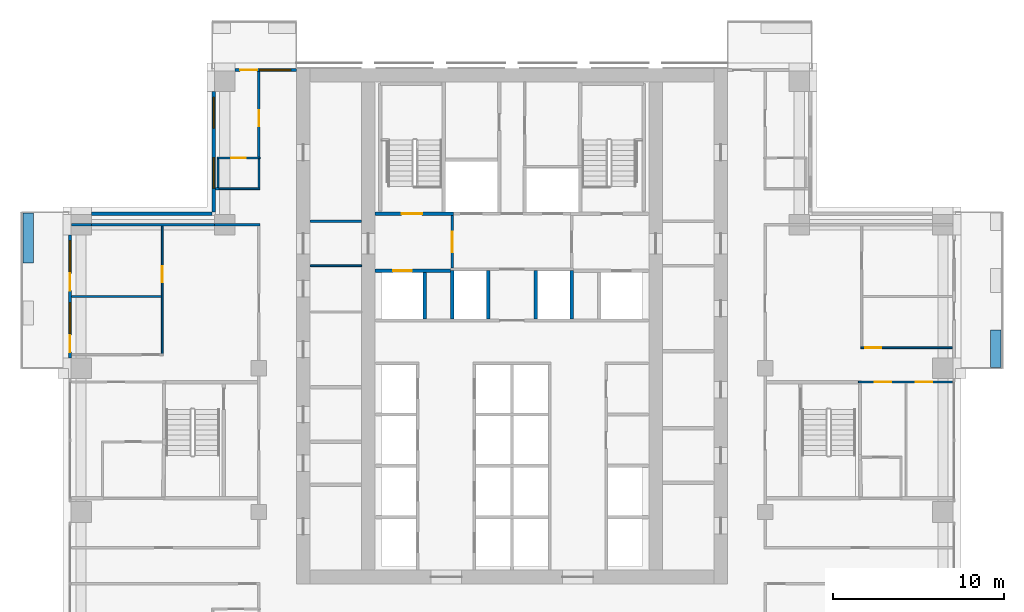
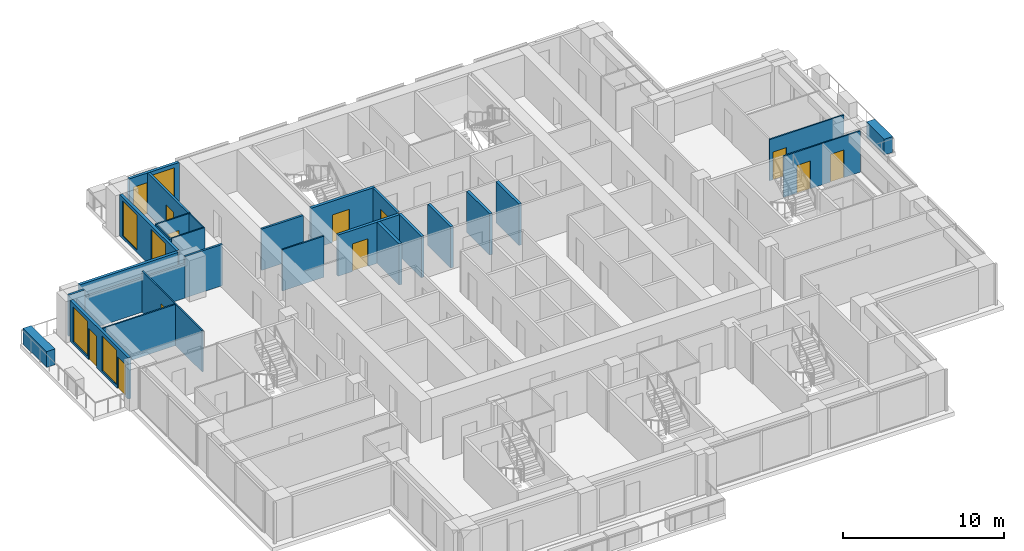
# One storey, part 10 of 16: 29 walls, 12 doors, 5 windows, 17 openings.
"""IFC4 building model written with IfcOpenShell, lengths in metres."""

import ifcopenshell
import ifcopenshell.guid

model = None  # the IFC model being written
_history = None  # IfcOwnerHistory: only IFC2X3 demands one
_inside = {}  # id of a spatial element -> (the spatial element, [elements in it])
_under = {}  # id of a project, library or spatial element -> (it, [spatial elements below it])
_declared = {}  # id of a project -> (the project, [libraries it declares])
_typed = {}  # id of a type object -> (the type object, [elements of that type])
_made_of = {}  # id of a material, layer set ... -> (it, [elements and type objects made of it])


def new_model(schema):
    """Start an empty IFC model of exactly this schema.

    Asked for "IFC4X3", IfcOpenShell would pick the latest addendum, in which some entities
    have other attributes; the version numbers below select the first issue.
    IFC2X3 requires an IfcOwnerHistory on every rooted entity: one is made here for all.
    """
    global model, _history
    if schema == "IFC4X3":
        model = ifcopenshell.file(schema_version=(4, 3, 0, 0))
    else:
        model = ifcopenshell.file(schema=schema)
    _inside.clear()
    _under.clear()
    _declared.clear()
    _typed.clear()
    _made_of.clear()
    _history = None
    if model.schema == "IFC2X3":
        org = make("IfcOrganization", Name="unknown")
        user = make(
            "IfcPersonAndOrganization",
            ThePerson=make("IfcPerson", FamilyName="unknown"),
            TheOrganization=org,
        )
        app = make(
            "IfcApplication",
            ApplicationDeveloper=org,
            Version="unknown",
            ApplicationFullName="unknown",
            ApplicationIdentifier="unknown",
        )
        _history = make(
            "IfcOwnerHistory",
            OwningUser=user,
            OwningApplication=app,
            ChangeAction="ADDED",
            CreationDate=0,
        )
    return model


def make(cls, **values):
    """One entity of the class cls with the attributes given. An attribute that is None is left unset."""
    return model.create_entity(
        cls, **{name: value for name, value in values.items() if value is not None}
    )


def rooted(cls, **values):
    """An entity with a GlobalId (a new one), such as an element, a storey or a relation."""
    return make(cls, GlobalId=ifcopenshell.guid.new(), OwnerHistory=_history, **values)


def si_unit(unit_type, name, prefix=None):
    """IfcSIUnit, for example si_unit("LENGTHUNIT", "METRE", prefix="MILLI")."""
    return make("IfcSIUnit", UnitType=unit_type, Prefix=prefix, Name=name)


def assignment(units):
    """IfcUnitAssignment: the units of a project."""
    return None if units is None else make("IfcUnitAssignment", Units=units)


def point(xyz):
    """IfcCartesianPoint."""
    return None if xyz is None else make("IfcCartesianPoint", Coordinates=xyz)


def direction(xyz):
    """IfcDirection."""
    return None if xyz is None else make("IfcDirection", DirectionRatios=xyz)


def frame(location, z_axis=None, x_axis=None):
    """IfcAxis2Placement3D, a coordinate frame: its origin and axes. An axis left out is left unset."""
    return make(
        "IfcAxis2Placement3D",
        Location=point(location),
        Axis=direction(z_axis),
        RefDirection=direction(x_axis),
    )


def frame_2d(location, x_axis=None):
    """IfcAxis2Placement2D, a coordinate frame in the plane: its origin and x axis."""
    return make(
        "IfcAxis2Placement2D", Location=point(location), RefDirection=direction(x_axis)
    )


def origin():
    """The frame at (0, 0, 0) with its axes left unset."""
    return frame((0.0, 0.0, 0.0))


def place(relative_to, where):
    """IfcLocalPlacement: puts the frame where relative to a parent placement (None: the world)."""
    return make(
        "IfcLocalPlacement", PlacementRelTo=relative_to, RelativePlacement=where
    )


def context(
    kind, dimensions, precision=None, world=None, true_north=None, identifier=None
):
    """IfcGeometricRepresentationContext, for example the 3D "Model" context."""
    return make(
        "IfcGeometricRepresentationContext",
        ContextIdentifier=identifier,
        ContextType=kind,
        CoordinateSpaceDimension=dimensions,
        Precision=precision,
        WorldCoordinateSystem=world,
        TrueNorth=true_north,
    )


def subcontext(parent, identifier, kind, view, scale=None):
    """IfcGeometricRepresentationSubContext, for example "Body" below "Model"."""
    return make(
        "IfcGeometricRepresentationSubContext",
        ContextIdentifier=identifier,
        ContextType=kind,
        ParentContext=parent,
        TargetScale=scale,
        TargetView=view,
    )


def project(units=None, contexts=None):
    """IfcProject with its units and contexts."""
    return rooted(
        "IfcProject",
        Name="project",
        RepresentationContexts=contexts,
        UnitsInContext=assignment(units),
    )


def spatial(cls, under=None, at=None, **own):
    """A site, building, storey or space (cls), placed at a placement, below another one or the project."""
    s = rooted(cls, ObjectPlacement=at, **own)
    if under is not None:
        _under.setdefault(under.id(), (under, []))[1].append(s)
    return s


def profile(cls, at=None, kind="AREA", **sizes):
    """A parametric profile (cls). Its sizes go by their IFC names, for example OverallWidth=200.0."""
    return make(cls, ProfileType=kind, Position=at, **sizes)


def rectangle(**sizes):
    """IfcRectangleProfileDef."""
    return profile("IfcRectangleProfileDef", **sizes)


def extrude(swept, where, along, depth):
    """IfcExtrudedAreaSolid: the profile swept, set in the frame where, extruded along a direction by depth."""
    return make(
        "IfcExtrudedAreaSolid",
        SweptArea=swept,
        Position=where,
        ExtrudedDirection=direction(along),
        Depth=depth,
    )


def shape(context_of_items, identifier, shape_type, items):
    """IfcShapeRepresentation: the items that make up one representation, for example the "Body"."""
    return make(
        "IfcShapeRepresentation",
        ContextOfItems=context_of_items,
        RepresentationIdentifier=identifier,
        RepresentationType=shape_type,
        Items=items,
    )


def material(Name=None, Category=None):
    """IfcMaterial."""
    return make("IfcMaterial", Name=Name, Category=Category)


def layer(
    of_material, thickness, ventilated=None, Name=None, Category=None, Priority=None
):
    """IfcMaterialLayer: one layer of a wall or slab, of a material (None: an air gap)."""
    return make(
        "IfcMaterialLayer",
        Material=of_material,
        LayerThickness=thickness,
        IsVentilated=ventilated,
        Name=Name,
        Category=Category,
        Priority=Priority,
    )


def layer_set(layers, Name=None):
    """IfcMaterialLayerSet."""
    return make("IfcMaterialLayerSet", MaterialLayers=layers, LayerSetName=Name)


def made_of(thing, what):
    """Note that an element or type object is made of a material, layer set ...; save() writes the relation."""
    if what is not None:
        _made_of.setdefault(what.id(), (what, []))[1].append(thing)
    return thing


def type_object(cls, material=None, **own):
    """A type object (cls), such as IfcWallType, which elements share."""
    return made_of(rooted(cls, **own), material)


def element(
    cls,
    number,
    at=None,
    inside=None,
    cuts=None,
    type_object=None,
    material=None,
    context=None,
    identifier="Body",
    shape_type=None,
    held_by="IfcProductDefinitionShape",
    body=None,
    shapes=None,
    **own,
):
    """One element of the class cls, such as IfcWall. Its Tag is "e" and its number.

    at: its placement. inside: the storey or other place that contains it. cuts: it is an
    opening in that element (IfcRelVoidsElement). A single representation is given by context,
    identifier, shape_type and body (its items); several are given by shapes. held_by: the class
    of the entity that holds the representations. save() writes the other relations.
    """
    e = rooted(cls, Tag="e%d" % number, ObjectPlacement=at, **own)
    if body is not None:
        shapes = [shape(context, identifier, shape_type, body)]
    if shapes is not None:
        e.Representation = make(held_by, Representations=shapes)
    if inside is not None:
        _inside.setdefault(inside.id(), (inside, []))[1].append(e)
    if cuts is not None:
        rooted(
            "IfcRelVoidsElement", RelatingBuildingElement=cuts, RelatedOpeningElement=e
        )
    if type_object is not None:
        _typed.setdefault(type_object.id(), (type_object, []))[1].append(e)
    return made_of(e, material)


def fill(opening, filler):
    """IfcRelFillsElement: the door or window that sits in an opening."""
    return rooted(
        "IfcRelFillsElement",
        RelatingOpeningElement=opening,
        RelatedBuildingElement=filler,
    )


def aggregate(whole, parts):
    """IfcRelAggregates: a whole, such as a stair, and the parts it consists of."""
    return rooted("IfcRelAggregates", RelatingObject=whole, RelatedObjects=parts)


def save(model, path):
    """Write the relations noted so far, then the file.

    IfcRelAggregates (storeys below a building ...), IfcRelContainedInSpatialStructure (elements
    in a storey), IfcRelDefinesByType, IfcRelAssociatesMaterial and IfcRelDeclares: one each for
    every whole, place, type object, material and project.
    """
    for whole, parts in _under.values():
        aggregate(whole, parts)
    for where, things in _inside.values():
        rooted(
            "IfcRelContainedInSpatialStructure",
            RelatedElements=things,
            RelatingStructure=where,
        )
    for kind, things in _typed.values():
        rooted("IfcRelDefinesByType", RelatedObjects=things, RelatingType=kind)
    for what, things in _made_of.values():
        rooted("IfcRelAssociatesMaterial", RelatedObjects=things, RelatingMaterial=what)
    for by, libraries in _declared.values():
        rooted("IfcRelDeclares", RelatingContext=by, RelatedDefinitions=libraries)
    model.write(path)


model = new_model("IFC4")

# Units and contexts
model_context = context("Model", 3, precision=1e-05, world=origin(), true_north=direction((0.0, 1.0)))
body_context = subcontext(model_context, "Body", "Model", "MODEL_VIEW")
ifc_project = project(units=[si_unit("LENGTHUNIT", "METRE"), si_unit("AREAUNIT", "SQUARE_METRE"), si_unit("VOLUMEUNIT", "CUBIC_METRE"), si_unit("PLANEANGLEUNIT", "RADIAN"), si_unit("MASSUNIT", "GRAM", prefix="KILO")], contexts=[model_context])

# Site, building, storey
site_placement = place(None, origin())
site = spatial("IfcSite", under=ifc_project, at=site_placement, CompositionType="ELEMENT")
building_placement = place(site_placement, origin())
building = spatial("IfcBuilding", under=site, at=building_placement, Name="Vermilion Ogive Tower", CompositionType="ELEMENT")
storey_placement = place(building_placement, frame((0.0, 0.0, 114.89990234375)))
storey = spatial("IfcBuildingStorey", under=building, at=storey_placement, Name="L29", CompositionType="ELEMENT", Elevation=114.89990234375)

# Wall
ifc_material_1 = material(Name="Gypsum board partition on steel studs", Category="steel")
ifc_layer_1 = layer(ifc_material_1, 0.10009765625)
ifc_layer_set_1 = layer_set([ifc_layer_1], Name="Partition 100 bath")
wall_type_1 = type_object("IfcWallType", Name="Partition 100 bath", PredefinedType="PARTITIONING", material=ifc_layer_set_1)
wall_1_placement = place(storey_placement, frame((-17.25, 14.699951171875, 0.0), z_axis=(0.0, 0.0, 1.0), x_axis=(1.0, 0.0, 0.0)))
element("IfcWall", 1, at=wall_1_placement, inside=storey, type_object=wall_type_1, Name="L29-W-W038", PredefinedType="PARTITIONING", context=body_context, shape_type="SweptSolid", body=[
    extrude(rectangle(XDim=2.5, YDim=0.10009765625, at=frame_2d((1.25, 0.0))), origin(), (0.0, 0.0, 1.0), 3.130126953125),
])

# Wall, opening, door
wall_2_placement = place(storey_placement, frame((-17.25, 16.5, 0.0), z_axis=(0.0, 0.0, 1.0), x_axis=(1.0, 0.0, 0.0)))
wall_2 = element("IfcWall", 2, at=wall_2_placement, inside=storey, type_object=wall_type_1, Name="L29-W-W041", PredefinedType="PARTITIONING", context=body_context, shape_type="SweptSolid", body=[
    extrude(rectangle(XDim=2.52490234375, YDim=0.10009765625, at=frame_2d((1.262451171875, 0.0))), origin(), (0.0, 0.0, 1.0), 3.130126953125),
])
opening_1_placement = place(wall_2_placement, frame((0.824951171875, 0.0, 0.0)))
opening_1 = element("IfcOpeningElement", 3, at=opening_1_placement, cuts=wall_2, Name="Opening D2G5009", PredefinedType="OPENING", context=body_context, shape_type="SweptSolid", body=[
    extrude(rectangle(XDim=0.85009765625, YDim=2.10009765625, at=frame_2d((0.425048828125, 1.050048828125))), frame((0.0, 0.06005859375, 0.0), z_axis=(0.0, -1.0, 0.0), x_axis=(1.0, 0.0, 0.0)), (0.0, 0.0, 1.0), 0.1201171875),
])
ifc_material_2 = material(Name="Timber door leaf", Category="wood")
door_type_1 = type_object("IfcDoorType", Name="Bath door 850 x 2100 FD30", OperationType="SINGLE_SWING_LEFT", PredefinedType="DOOR", material=ifc_material_2)
door_1_placement = place(opening_1_placement, origin())
door_1 = element("IfcDoor", 4, at=door_1_placement, inside=storey, type_object=door_type_1, Name="L29-D-D009", OperationType="SINGLE_SWING_RIGHT", OverallHeight=2.10009765625, OverallWidth=0.85009765625, PredefinedType="DOOR", context=body_context, shape_type="SweptSolid", body=[
    extrude(rectangle(XDim=0.85009765625, YDim=2.10009765625, at=frame_2d((0.425048828125, 1.050048828125))), frame((0.0, 0.02490234375, 0.0), z_axis=(0.0, -1.0, 0.0), x_axis=(1.0, 0.0, 0.0)), (0.0, 0.0, 1.0), 0.050048828125),
])
fill(opening_1, door_1)

# Walls
wall_3_placement = place(storey_placement, frame((-17.199951171875, 14.77490234375, 0.0), z_axis=(0.0, 0.0, 1.0), x_axis=(0.0, 1.0, 0.0)))
element("IfcWall", 5, at=wall_3_placement, inside=storey, type_object=wall_type_1, Name="L29-W-W048", PredefinedType="PARTITIONING", context=body_context, shape_type="SweptSolid", body=[
    extrude(rectangle(XDim=1.675048828125, YDim=0.10009765625, at=frame_2d((0.83740234375, 0.0))), origin(), (0.0, 0.0, 1.0), 3.130126953125),
])
wall_4_placement = place(storey_placement, frame((-14.800048828125, 14.75, 0.0), z_axis=(0.0, 0.0, 1.0), x_axis=(0.0, 1.0, 0.0)))
element("IfcWall", 6, at=wall_4_placement, inside=storey, type_object=wall_type_1, Name="L29-W-W053", PredefinedType="PARTITIONING", context=body_context, shape_type="SweptSolid", body=[
    extrude(rectangle(XDim=1.699951171875, YDim=0.10009765625, at=frame_2d((0.85009765625, 0.0))), origin(), (0.0, 0.0, 1.0), 3.130126953125),
])
wall_5_placement = place(storey_placement, frame((-11.799072265625, 10.199951171875, 0.0), z_axis=(0.0, 0.0, 1.0), x_axis=(1.0, 0.0, 0.0)))
element("IfcWall", 7, at=wall_5_placement, inside=storey, type_object=wall_type_1, Name="L29-CKW-W-W005", PredefinedType="PARTITIONING", context=body_context, shape_type="SweptSolid", body=[
    extrude(rectangle(XDim=2.998046875, YDim=0.10009765625, at=frame_2d((1.4990234375, 0.0))), origin(), (0.0, 0.0, 1.0), 3.130126953125),
])

# Wall, openings, doors
ifc_material_3 = material(Name="Gypsum board partition on steel studs", Category="steel")
ifc_layer_2 = layer(ifc_material_3, 0.10009765625)
ifc_layer_set_2 = layer_set([ifc_layer_2], Name="Partition 100 inner")
wall_type_2 = type_object("IfcWallType", Name="Partition 100 inner", PredefinedType="PARTITIONING", material=ifc_layer_set_2)
wall_6_placement = place(storey_placement, frame((20.25, 3.39990234375, 0.0), z_axis=(0.0, 0.0, 1.0), x_axis=(1.0, 0.0, 0.0)))
wall_6 = element("IfcWall", 8, at=wall_6_placement, inside=storey, type_object=wall_type_2, Name="L29-W-W030", PredefinedType="PARTITIONING", context=body_context, shape_type="SweptSolid", body=[
    extrude(rectangle(XDim=5.5, YDim=0.10009765625, at=frame_2d((2.75, 0.0))), origin(), (0.0, 0.0, 1.0), 3.130126953125),
])
opening_2_placement = place(wall_6_placement, frame((3.375, 0.0, 0.0)))
opening_2 = element("IfcOpeningElement", 9, at=opening_2_placement, cuts=wall_6, Name="Opening D2G5015", PredefinedType="OPENING", context=body_context, shape_type="SweptSolid", body=[
    extrude(rectangle(XDim=0.949951171875, YDim=2.10009765625, at=frame_2d((0.47509765625, 1.050048828125))), frame((0.0, 0.06005859375, 0.0), z_axis=(0.0, -1.0, 0.0), x_axis=(1.0, 0.0, 0.0)), (0.0, 0.0, 1.0), 0.1201171875),
])
opening_3_placement = place(wall_6_placement, frame((0.97509765625, 0.0, 0.0)))
opening_3 = element("IfcOpeningElement", 10, at=opening_3_placement, cuts=wall_6, Name="Opening D2G5019", PredefinedType="OPENING", context=body_context, shape_type="SweptSolid", body=[
    extrude(rectangle(XDim=0.949951171875, YDim=2.10009765625, at=frame_2d((0.47509765625, 1.050048828125))), frame((0.0, 0.06005859375, 0.0), z_axis=(0.0, -1.0, 0.0), x_axis=(1.0, 0.0, 0.0)), (0.0, 0.0, 1.0), 0.1201171875),
])
ifc_material_4 = material(Name="Timber door leaf", Category="wood")
door_type_2 = type_object("IfcDoorType", Name="Inner door 950 x 2100 FD30", OperationType="SINGLE_SWING_LEFT", PredefinedType="DOOR", material=ifc_material_4)
door_2_placement = place(opening_2_placement, origin())
door_2 = element("IfcDoor", 11, at=door_2_placement, inside=storey, type_object=door_type_2, Name="L29-D-D015", OperationType="SINGLE_SWING_RIGHT", OverallHeight=2.10009765625, OverallWidth=0.949951171875, PredefinedType="DOOR", context=body_context, shape_type="SweptSolid", body=[
    extrude(rectangle(XDim=0.949951171875, YDim=2.10009765625, at=frame_2d((0.47509765625, 1.050048828125))), frame((0.0, 0.02490234375, 0.0), z_axis=(0.0, -1.0, 0.0), x_axis=(1.0, 0.0, 0.0)), (0.0, 0.0, 1.0), 0.050048828125),
])
fill(opening_2, door_2)
door_3_placement = place(opening_3_placement, origin())
door_3 = element("IfcDoor", 12, at=door_3_placement, inside=storey, type_object=door_type_2, Name="L29-D-D019", OperationType="SINGLE_SWING_RIGHT", OverallHeight=2.10009765625, OverallWidth=0.949951171875, PredefinedType="DOOR", context=body_context, shape_type="SweptSolid", body=[
    extrude(rectangle(XDim=0.949951171875, YDim=2.10009765625, at=frame_2d((0.47509765625, 1.050048828125))), frame((0.0, 0.02490234375, 0.0), z_axis=(0.0, -1.0, 0.0), x_axis=(1.0, 0.0, 0.0)), (0.0, 0.0, 1.0), 0.050048828125),
])
fill(opening_3, door_3)

# Wall, opening, door
wall_7_placement = place(storey_placement, frame((20.39990234375, 5.39990234375, 0.0), z_axis=(0.0, 0.0, 1.0), x_axis=(1.0, 0.0, 0.0)))
wall_7 = element("IfcWall", 13, at=wall_7_placement, inside=storey, type_object=wall_type_2, Name="L29-W-W032", PredefinedType="PARTITIONING", context=body_context, shape_type="SweptSolid", body=[
    extrude(rectangle(XDim=5.35009765625, YDim=0.10009765625, at=frame_2d((2.675048828125, 0.0))), origin(), (0.0, 0.0, 1.0), 3.130126953125),
])
opening_4_placement = place(wall_7_placement, frame((0.25, 0.0, 0.0)))
opening_4 = element("IfcOpeningElement", 14, at=opening_4_placement, cuts=wall_7, Name="Opening D2G5016", PredefinedType="OPENING", context=body_context, shape_type="SweptSolid", body=[
    extrude(rectangle(XDim=0.949951171875, YDim=2.10009765625, at=frame_2d((0.47509765625, 1.050048828125))), frame((0.0, 0.06005859375, 0.0), z_axis=(0.0, -1.0, 0.0), x_axis=(1.0, 0.0, 0.0)), (0.0, 0.0, 1.0), 0.1201171875),
])
door_4_placement = place(opening_4_placement, origin())
door_4 = element("IfcDoor", 15, at=door_4_placement, inside=storey, type_object=door_type_2, Name="L29-D-D016", OperationType="SINGLE_SWING_LEFT", OverallHeight=2.10009765625, OverallWidth=0.949951171875, PredefinedType="DOOR", context=body_context, shape_type="SweptSolid", body=[
    extrude(rectangle(XDim=0.949951171875, YDim=2.10009765625, at=frame_2d((0.47509765625, 1.050048828125))), frame((0.0, 0.02490234375, 0.0), z_axis=(0.0, -1.0, 0.0), x_axis=(1.0, 0.0, 0.0)), (0.0, 0.0, 1.0), 0.050048828125),
])
fill(opening_4, door_4)

# Wall
wall_8_placement = place(storey_placement, frame((-25.75, 8.39990234375, 0.0), z_axis=(0.0, 0.0, 1.0), x_axis=(1.0, 0.0, 0.0)))
element("IfcWall", 16, at=wall_8_placement, inside=storey, type_object=wall_type_2, Name="L29-W-W033", PredefinedType="PARTITIONING", context=body_context, shape_type="SweptSolid", body=[
    extrude(rectangle(XDim=5.25, YDim=0.10009765625, at=frame_2d((2.625, 0.0))), origin(), (0.0, 0.0, 1.0), 3.130126953125),
])

# Wall, opening, door
wall_9_placement = place(storey_placement, frame((-20.449951171875, 5.050048828125, 0.0), z_axis=(0.0, 0.0, 1.0), x_axis=(0.0, 1.0, 0.0)))
wall_9 = element("IfcWall", 17, at=wall_9_placement, inside=storey, type_object=wall_type_2, Name="L29-W-W044", PredefinedType="PARTITIONING", context=body_context, shape_type="SweptSolid", body=[
    extrude(rectangle(XDim=7.474853515625, YDim=0.10009765625, at=frame_2d((3.7373046875, 0.0))), origin(), (0.0, 0.0, 1.0), 3.130126953125),
])
opening_5_placement = place(wall_9_placement, frame((4.175048828125, 0.0, 0.0)))
opening_5 = element("IfcOpeningElement", 18, at=opening_5_placement, cuts=wall_9, Name="Opening D2G5004", PredefinedType="OPENING", context=body_context, shape_type="SweptSolid", body=[
    extrude(rectangle(XDim=0.949951171875, YDim=2.10009765625, at=frame_2d((0.47509765625, 1.050048828125))), frame((0.0, 0.06005859375, 0.0), z_axis=(0.0, -1.0, 0.0), x_axis=(1.0, 0.0, 0.0)), (0.0, 0.0, 1.0), 0.1201171875),
])
door_5_placement = place(opening_5_placement, origin())
door_5 = element("IfcDoor", 19, at=door_5_placement, inside=storey, type_object=door_type_2, Name="L29-D-D004", OperationType="SINGLE_SWING_LEFT", OverallHeight=2.10009765625, OverallWidth=0.949951171875, PredefinedType="DOOR", context=body_context, shape_type="SweptSolid", body=[
    extrude(rectangle(XDim=0.949951171875, YDim=2.10009765625, at=frame_2d((0.47509765625, 1.050048828125))), frame((0.0, 0.02490234375, 0.0), z_axis=(0.0, -1.0, 0.0), x_axis=(1.0, 0.0, 0.0)), (0.0, 0.0, 1.0), 0.050048828125),
])
fill(opening_5, door_5)

# Walls
ifc_material_5 = material(Name="Gypsum board partition on steel studs", Category="steel")
ifc_layer_3 = layer(ifc_material_5, 0.14990234375)
ifc_layer_set_3 = layer_set([ifc_layer_3], Name="Partition 150 corridor")
wall_type_3 = type_object("IfcWallType", Name="Partition 150 corridor", PredefinedType="PARTITIONING", material=ifc_layer_set_3)
wall_10_placement = place(storey_placement, frame((-25.75, 12.60009765625, 0.0), z_axis=(0.0, 0.0, 1.0), x_axis=(1.0, 0.0, 0.0)))
element("IfcWall", 20, at=wall_10_placement, inside=storey, type_object=wall_type_3, Name="L29-W-W035", PredefinedType="PARTITIONING", context=body_context, shape_type="SweptSolid", body=[
    extrude(rectangle(XDim=1.14990234375, YDim=0.14990234375, at=frame_2d((0.574951171875, 0.0))), origin(), (0.0, 0.0, 1.0), 3.130126953125),
])
wall_11_placement = place(storey_placement, frame((-17.35009765625, 14.699951171875, 0.0), z_axis=(0.0, 0.0, 1.0), x_axis=(1.0, 0.0, 0.0)))
element("IfcWall", 21, at=wall_11_placement, inside=storey, type_object=wall_type_3, Name="L29-W-W037", PredefinedType="PARTITIONING", context=body_context, shape_type="SweptSolid", body=[
    extrude(rectangle(XDim=0.2001953125, YDim=0.14990234375, at=frame_2d((0.10009765625, 0.0))), origin(), (0.0, 0.0, 1.0), 3.130126953125),
])

# Wall, opening, door
wall_12_placement = place(storey_placement, frame((-14.800048828125, 16.550048828125, 0.0), z_axis=(0.0, 0.0, 1.0), x_axis=(0.0, 1.0, 0.0)))
wall_12 = element("IfcWall", 22, at=wall_12_placement, inside=storey, type_object=wall_type_3, Name="L29-W-W054", PredefinedType="PARTITIONING", context=body_context, shape_type="SweptSolid", body=[
    extrude(rectangle(XDim=5.0, YDim=0.14990234375, at=frame_2d((2.5, 0.0))), origin(), (0.0, 0.0, 1.0), 3.130126953125),
])
opening_6_placement = place(wall_12_placement, frame((1.800048828125, 0.0, 0.0)))
opening_6 = element("IfcOpeningElement", 23, at=opening_6_placement, cuts=wall_12, Name="Opening D2G5008", PredefinedType="OPENING", context=body_context, shape_type="SweptSolid", body=[
    extrude(rectangle(XDim=0.949951171875, YDim=2.10009765625, at=frame_2d((0.47509765625, 1.050048828125))), frame((0.0, 0.0849609375, 0.0), z_axis=(0.0, -1.0, 0.0), x_axis=(1.0, 0.0, 0.0)), (0.0, 0.0, 1.0), 0.169921875),
])
ifc_material_6 = material(Name="Timber door leaf", Category="wood")
door_type_3 = type_object("IfcDoorType", Name="Unit door 950 x 2100 FD30S", OperationType="SINGLE_SWING_LEFT", PredefinedType="DOOR", material=ifc_material_6)
door_6_placement = place(opening_6_placement, origin())
door_6 = element("IfcDoor", 24, at=door_6_placement, inside=storey, type_object=door_type_3, Name="L29-D-D008", OperationType="SINGLE_SWING_RIGHT", OverallHeight=2.10009765625, OverallWidth=0.949951171875, PredefinedType="DOOR", context=body_context, shape_type="SweptSolid", body=[
    extrude(rectangle(XDim=0.949951171875, YDim=2.10009765625, at=frame_2d((0.47509765625, 1.050048828125))), frame((0.0, 0.02490234375, 0.0), z_axis=(0.0, -1.0, 0.0), x_axis=(1.0, 0.0, 0.0)), (0.0, 0.0, 1.0), 0.050048828125),
])
fill(opening_6, door_6)

wall_13_placement = place(storey_placement, frame((-3.5, 10.074951171875, 0.0), z_axis=(0.0, 0.0, 1.0), x_axis=(0.0, 1.0, 0.0)))
wall_13 = element("IfcWall", 25, at=wall_13_placement, inside=storey, type_object=wall_type_3, Name="L29-CK-W-W026", PredefinedType="PARTITIONING", context=body_context, shape_type="SweptSolid", body=[
    extrude(rectangle(XDim=3.074951171875, YDim=0.14990234375, at=frame_2d((1.53759765625, 0.0))), origin(), (0.0, 0.0, 1.0), 3.130126953125),
])
opening_7_placement = place(wall_13_placement, frame((0.925048828125, 0.0, 0.0)))
opening_7 = element("IfcOpeningElement", 26, at=opening_7_placement, cuts=wall_13, Name="Opening DAA230", PredefinedType="OPENING", context=body_context, shape_type="SweptSolid", body=[
    extrude(rectangle(XDim=1.199951171875, YDim=2.10009765625, at=frame_2d((0.60009765625, 1.050048828125))), frame((0.0, 0.0849609375, 0.0), z_axis=(0.0, -1.0, 0.0), x_axis=(1.0, 0.0, 0.0)), (0.0, 0.0, 1.0), 0.169921875),
])
ifc_material_7 = material(Name="Timber door leaf", Category="wood")
door_type_4 = type_object("IfcDoorType", Name="Lobby door 1200 x 2100 FD60S", OperationType="SINGLE_SWING_LEFT", PredefinedType="DOOR", material=ifc_material_7)
door_7_placement = place(opening_7_placement, origin())
door_7 = element("IfcDoor", 27, at=door_7_placement, inside=storey, type_object=door_type_4, Name="L29-CK-D-D022", OperationType="SINGLE_SWING_RIGHT", OverallHeight=2.10009765625, OverallWidth=1.199951171875, PredefinedType="DOOR", context=body_context, shape_type="SweptSolid", body=[
    extrude(rectangle(XDim=1.199951171875, YDim=2.10009765625, at=frame_2d((0.60009765625, 1.050048828125))), frame((0.0, 0.02490234375, 0.0), z_axis=(0.0, -1.0, 0.0), x_axis=(1.0, 0.0, 0.0)), (0.0, 0.0, 1.0), 0.050048828125),
])
fill(opening_7, door_7)

# Walls
wall_14_placement = place(storey_placement, frame((-11.799072265625, 12.800048828125, 0.0), z_axis=(0.0, 0.0, 1.0), x_axis=(1.0, 0.0, 0.0)))
element("IfcWall", 28, at=wall_14_placement, inside=storey, type_object=wall_type_3, Name="L29-CKW-W-W006", PredefinedType="PARTITIONING", context=body_context, shape_type="SweptSolid", body=[
    extrude(rectangle(XDim=2.998046875, YDim=0.14990234375, at=frame_2d((1.4990234375, 0.0))), origin(), (0.0, 0.0, 1.0), 3.130126953125),
])
wall_15_placement = place(storey_placement, frame((-24.60009765625, 12.60009765625, 0.0), z_axis=(0.0, 0.0, 1.0), x_axis=(1.0, 0.0, 0.0)))
element("IfcWall", 29, at=wall_15_placement, inside=storey, type_object=wall_type_3, Name="L29-W-W035-h1", PredefinedType="PARTITIONING", context=body_context, shape_type="SweptSolid", body=[
    extrude(rectangle(XDim=7.2001953125, YDim=0.14990234375, at=frame_2d((3.60009765625, 0.0))), origin(), (0.0, 0.0, 1.0), 2.580078125),
])
wall_16_placement = place(storey_placement, frame((-17.39990234375, 12.60009765625, 0.0), z_axis=(0.0, 0.0, 1.0), x_axis=(1.0, 0.0, 0.0)))
element("IfcWall", 30, at=wall_16_placement, inside=storey, type_object=wall_type_3, Name="L29-W-W035-h2", PredefinedType="PARTITIONING", context=body_context, shape_type="SweptSolid", body=[
    extrude(rectangle(XDim=2.6748046875, YDim=0.14990234375, at=frame_2d((1.33740234375, 0.0))), origin(), (0.0, 0.0, 1.0), 3.130126953125),
])

# Wall, opening, door
ifc_material_8 = material(Name="Gypsum board partition on steel studs", Category="steel")
ifc_layer_4 = layer(ifc_material_8, 0.199951171875)
ifc_layer_set_4 = layer_set([ifc_layer_4], Name="Partition 200 party")
wall_type_4 = type_object("IfcWallType", Name="Partition 200 party", PredefinedType="PARTITIONING", material=ifc_layer_set_4)
wall_17_placement = place(storey_placement, frame((-7.9990234375, 9.89990234375, 0.0), z_axis=(0.0, 0.0, 1.0), x_axis=(1.0, 0.0, 0.0)))
wall_17 = element("IfcWall", 31, at=wall_17_placement, inside=storey, type_object=wall_type_4, Name="L29-CK-W-W014", PredefinedType="PARTITIONING", context=body_context, shape_type="SweptSolid", body=[
    extrude(rectangle(XDim=4.39892578125, YDim=0.199951171875, at=frame_2d((2.199462890625, 0.0))), origin(), (0.0, 0.0, 1.0), 3.130126953125),
])
opening_8_placement = place(wall_17_placement, frame((1.049072265625, 0.0, 0.0)))
opening_8 = element("IfcOpeningElement", 32, at=opening_8_placement, cuts=wall_17, Name="Opening DAA251", PredefinedType="OPENING", context=body_context, shape_type="SweptSolid", body=[
    extrude(rectangle(XDim=1.10009765625, YDim=2.10009765625, at=frame_2d((0.550048828125, 1.050048828125))), frame((0.0, 0.10986328125, 0.0), z_axis=(0.0, -1.0, 0.0), x_axis=(1.0, 0.0, 0.0)), (0.0, 0.0, 1.0), 0.219970703125),
])
ifc_material_9 = material(Name="Stainless steel", Category="steel")
door_type_5 = type_object("IfcDoorType", Name="Lift landing door 1100 x 2100", OperationType="SLIDING_TO_LEFT", PredefinedType="DOOR", material=ifc_material_9)
door_8_placement = place(opening_8_placement, origin())
door_8 = element("IfcDoor", 33, at=door_8_placement, inside=storey, type_object=door_type_5, Name="L29-CK-D-D012", OperationType="SLIDING_TO_LEFT", OverallHeight=2.10009765625, OverallWidth=1.10009765625, PredefinedType="DOOR", context=body_context, shape_type="SweptSolid", body=[
    extrude(rectangle(XDim=1.10009765625, YDim=2.10009765625, at=frame_2d((0.550048828125, 1.050048828125))), frame((0.0, 0.02490234375, 0.0), z_axis=(0.0, -1.0, 0.0), x_axis=(1.0, 0.0, 0.0)), (0.0, 0.0, 1.0), 0.050048828125),
])
fill(opening_8, door_8)

# Walls
wall_18_placement = place(storey_placement, frame((-5.10009765625, 7.074951171875, 0.0), z_axis=(0.0, 0.0, 1.0), x_axis=(0.0, 1.0, 0.0)))
element("IfcWall", 34, at=wall_18_placement, inside=storey, type_object=wall_type_4, Name="L29-CK-W-W023", PredefinedType="PARTITIONING", context=body_context, shape_type="SweptSolid", body=[
    extrude(rectangle(XDim=2.72509765625, YDim=0.199951171875, at=frame_2d((1.362548828125, 0.0))), origin(), (0.0, 0.0, 1.0), 3.130126953125),
])
for number, where, z_axis, x_axis, name in (
    (35, (-3.5, 7.074951171875, 0.0), (0.0, 0.0, 1.0), (0.0, 1.0, 0.0), "L29-CK-W-W025"),
    (36, (-1.39990234375, 7.074951171875, 0.0), (0.0, 0.0, 1.0), (0.0, 1.0, 0.0), "L29-CK-W-W028"),
    (37, (1.39990234375, 7.074951171875, 0.0), (0.0, 0.0, 1.0), (0.0, 1.0, 0.0), "L29-CK-W-W033"),
    (38, (3.5, 7.074951171875, 0.0), (0.0, 0.0, 1.0), (0.0, 1.0, 0.0), "L29-CK-W-W035"),
):
    element("IfcWall", number, at=place(storey_placement, frame(where, z_axis=z_axis, x_axis=x_axis)), inside=storey, type_object=wall_type_4, Name=name, PredefinedType="PARTITIONING", context=body_context, shape_type="SweptSolid", body=[
        extrude(rectangle(XDim=2.85009765625, YDim=0.199951171875, at=frame_2d((1.425048828125, 0.0))), origin(), (0.0, 0.0, 1.0), 3.130126953125),
    ])

# Wall, opening, door
ifc_material_10 = material(Name="Concrete B60", Category="concrete")
ifc_layer_5 = layer(ifc_material_10, 0.199951171875)
ifc_layer_set_5 = layer_set([ifc_layer_5], Name="Stair shaft wall 200 Concrete B60")
wall_type_5 = type_object("IfcWallType", Name="Stair shaft wall 200 Concrete B60", PredefinedType="SOLIDWALL", material=ifc_layer_set_5)
wall_19_placement = place(storey_placement, frame((-7.9990234375, 13.25, 0.0), z_axis=(0.0, 0.0, 1.0), x_axis=(1.0, 0.0, 0.0)))
wall_19 = element("IfcWall", 39, at=wall_19_placement, inside=storey, type_object=wall_type_5, Name="L29-CK-W-W017", PredefinedType="SOLIDWALL", context=body_context, shape_type="SweptSolid", body=[
    extrude(rectangle(XDim=4.573974609375, YDim=0.199951171875, at=frame_2d((2.287109375, 0.0))), origin(), (0.0, 0.0, 1.0), 3.130126953125),
])
opening_9_placement = place(wall_19_placement, frame((1.549072265625, 0.0, 0.0)))
opening_9 = element("IfcOpeningElement", 40, at=opening_9_placement, cuts=wall_19, Name="Opening DAA239", PredefinedType="OPENING", context=body_context, shape_type="SweptSolid", body=[
    extrude(rectangle(XDim=1.199951171875, YDim=2.10009765625, at=frame_2d((0.60009765625, 1.050048828125))), frame((0.0, 0.10986328125, 0.0), z_axis=(0.0, -1.0, 0.0), x_axis=(1.0, 0.0, 0.0)), (0.0, 0.0, 1.0), 0.219970703125),
])
ifc_material_11 = material(Name="Timber door leaf", Category="wood")
door_type_6 = type_object("IfcDoorType", Name="Stair door 1200 x 2100 FD60S", OperationType="SINGLE_SWING_LEFT", PredefinedType="DOOR", material=ifc_material_11)
door_9_placement = place(opening_9_placement, origin())
door_9 = element("IfcDoor", 41, at=door_9_placement, inside=storey, type_object=door_type_6, Name="L29-CK-D-D011", OperationType="SINGLE_SWING_LEFT", OverallHeight=2.10009765625, OverallWidth=1.199951171875, PredefinedType="DOOR", context=body_context, shape_type="SweptSolid", body=[
    extrude(rectangle(XDim=1.199951171875, YDim=2.10009765625, at=frame_2d((0.60009765625, 1.050048828125))), frame((0.0, 0.02490234375, 0.0), z_axis=(0.0, -1.0, 0.0), x_axis=(1.0, 0.0, 0.0)), (0.0, 0.0, 1.0), 0.050048828125),
])
fill(opening_9, door_9)

# Walls
ifc_material_12 = material(Name="Concrete B40", Category="concrete")
ifc_layer_6 = layer(ifc_material_12, 0.60009765625)
ifc_layer_set_6 = layer_set([ifc_layer_6], Name="Structural planter")
wall_type_6 = type_object("IfcWallType", Name="Structural planter", PredefinedType="USERDEFINED", material=ifc_layer_set_6)
wall_20_placement = place(storey_placement, frame((28.2939453125, 4.260009765625, -0.039794921875), z_axis=(0.0, 0.0, 1.0), x_axis=(0.0, 1.0, 0.0)))
element("IfcWall", 42, at=wall_20_placement, inside=storey, type_object=wall_type_6, Name="Planter E03A1", ObjectType="PLANTER", PredefinedType="USERDEFINED", context=body_context, shape_type="SweptSolid", body=[
    extrude(rectangle(XDim=2.18994140625, YDim=0.60009765625, at=frame_2d((1.094970703125, 0.0))), origin(), (0.0, 0.0, 1.0), 1.199951171875),
])
wall_21_placement = place(storey_placement, frame((-28.2939453125, 13.2900390625, -0.039794921875), z_axis=(0.0, 0.0, 1.0), x_axis=(0.0, -1.0, 0.0)))
element("IfcWall", 43, at=wall_21_placement, inside=storey, type_object=wall_type_6, Name="Planter W01A1", ObjectType="PLANTER", PredefinedType="USERDEFINED", context=body_context, shape_type="SweptSolid", body=[
    extrude(rectangle(XDim=2.93994140625, YDim=0.60009765625, at=frame_2d((1.469970703125, 0.0))), origin(), (0.0, 0.0, 1.0), 1.199951171875),
])

# Wall, openings, door, window
ifc_material_13 = material(Name="Aluminium window wall framing", Category="aluminium")
ifc_layer_7 = layer(ifc_material_13, 0.199951171875)
ifc_layer_set_7 = layer_set([ifc_layer_7], Name="Window wall")
wall_type_7 = type_object("IfcWallType", Name="Window wall", PredefinedType="STANDARD", material=ifc_layer_set_7)
wall_22_placement = place(storey_placement, frame((-12.60009765625, 21.64990234375, 0.0), z_axis=(0.0, 0.0, 1.0), x_axis=(-1.0, 0.0, 0.0)))
wall_22 = element("IfcWall", 44, at=wall_22_placement, inside=storey, type_object=wall_type_7, Name="Window wall N21", PredefinedType="STANDARD", context=body_context, shape_type="SweptSolid", body=[
    extrude(rectangle(XDim=3.599853515625, YDim=0.199951171875, at=frame_2d((1.7998046875, 0.0))), origin(), (0.0, 0.0, 1.0), 3.130126953125),
])
opening_10_placement = place(wall_22_placement, frame((0.35009765625, 0.0, 0.199951171875)))
opening_10 = element("IfcOpeningElement", 45, at=opening_10_placement, cuts=wall_22, Name="Opening W1-N296", PredefinedType="OPENING", context=body_context, shape_type="SweptSolid", body=[
    extrude(rectangle(XDim=1.800048828125, YDim=2.64990234375, at=frame_2d((0.89990234375, 1.324951171875))), frame((0.0, 0.10986328125, 0.0), z_axis=(0.0, -1.0, 0.0), x_axis=(1.0, 0.0, 0.0)), (0.0, 0.0, 1.0), 0.219970703125),
])
opening_11_placement = place(wall_22_placement, frame((2.300048828125, 0.0, 0.0)))
opening_11 = element("IfcOpeningElement", 46, at=opening_11_placement, cuts=wall_22, Name="Opening D1-N296", PredefinedType="OPENING", context=body_context, shape_type="SweptSolid", body=[
    extrude(rectangle(XDim=1.0, YDim=2.39990234375, at=frame_2d((0.5, 1.199951171875))), frame((0.0, 0.10986328125, 0.0), z_axis=(0.0, -1.0, 0.0), x_axis=(1.0, 0.0, 0.0)), (0.0, 0.0, 1.0), 0.219970703125),
])
ifc_material_14 = material(Name="Aluminium framed glazed door", Category="aluminium")
door_type_7 = type_object("IfcDoorType", Name="Balcony door D1", OperationType="SINGLE_SWING_LEFT", PredefinedType="DOOR", material=ifc_material_14)
door_10_placement = place(opening_11_placement, origin())
door_10 = element("IfcDoor", 47, at=door_10_placement, inside=storey, type_object=door_type_7, Name="Balcony door N296", OperationType="SINGLE_SWING_LEFT", OverallHeight=2.39990234375, OverallWidth=1.0, PredefinedType="DOOR", context=body_context, shape_type="SweptSolid", body=[
    extrude(rectangle(XDim=1.0, YDim=2.39990234375, at=frame_2d((0.5, 1.199951171875))), frame((0.0, 0.02490234375, 0.0), z_axis=(0.0, -1.0, 0.0), x_axis=(1.0, 0.0, 0.0)), (0.0, 0.0, 1.0), 0.050048828125),
])
fill(opening_11, door_10)
ifc_material_15 = material(Name="Aluminium framed double glazing", Category="aluminium")
window_type = type_object("IfcWindowType", Name="Guest window W1", PartitioningType="SINGLE_PANEL", PredefinedType="WINDOW", material=ifc_material_15)
window_1_placement = place(opening_10_placement, origin())
window_1 = element("IfcWindow", 48, at=window_1_placement, inside=storey, type_object=window_type, Name="Window N296", OverallHeight=2.64990234375, OverallWidth=1.800048828125, PartitioningType="SINGLE_PANEL", PredefinedType="WINDOW", context=body_context, shape_type="SweptSolid", body=[
    extrude(rectangle(XDim=1.800048828125, YDim=2.64990234375, at=frame_2d((0.89990234375, 1.324951171875))), frame((0.0, 0.030029296875, 0.0), z_axis=(0.0, -1.0, 0.0), x_axis=(1.0, 0.0, 0.0)), (0.0, 0.0, 1.0), 0.06005859375),
])
fill(opening_10, window_1)

# Wall, openings, windows
wall_23_placement = place(storey_placement, frame((-17.449951171875, 20.39990234375, 0.0), z_axis=(0.0, 0.0, 1.0), x_axis=(0.0, -1.0, 0.0)))
wall_23 = element("IfcWall", 49, at=wall_23_placement, inside=storey, type_object=wall_type_7, Name="Window wall X51", PredefinedType="STANDARD", context=body_context, shape_type="SweptSolid", body=[
    extrude(rectangle(XDim=7.0498046875, YDim=0.199951171875, at=frame_2d((3.52490234375, 0.0))), origin(), (0.0, 0.0, 1.0), 3.130126953125),
])
opening_12_placement = place(wall_23_placement, frame((3.875, 0.0, 0.199951171875)))
opening_12 = element("IfcOpeningElement", 50, at=opening_12_placement, cuts=wall_23, Name="Opening W1-X503", PredefinedType="OPENING", context=body_context, shape_type="SweptSolid", body=[
    extrude(rectangle(XDim=1.800048828125, YDim=2.64990234375, at=frame_2d((0.89990234375, 1.324951171875))), frame((0.0, 0.10986328125, 0.0), z_axis=(0.0, -1.0, 0.0), x_axis=(1.0, 0.0, 0.0)), (0.0, 0.0, 1.0), 0.219970703125),
])
opening_13_placement = place(wall_23_placement, frame((0.35009765625, 0.0, 0.199951171875)))
opening_13 = element("IfcOpeningElement", 51, at=opening_13_placement, cuts=wall_23, Name="Opening W1-X504", PredefinedType="OPENING", context=body_context, shape_type="SweptSolid", body=[
    extrude(rectangle(XDim=1.800048828125, YDim=2.64990234375, at=frame_2d((0.89990234375, 1.324951171875))), frame((0.0, 0.10986328125, 0.0), z_axis=(0.0, -1.0, 0.0), x_axis=(1.0, 0.0, 0.0)), (0.0, 0.0, 1.0), 0.219970703125),
])
window_2_placement = place(opening_12_placement, origin())
window_2 = element("IfcWindow", 52, at=window_2_placement, inside=storey, type_object=window_type, Name="Window X503", OverallHeight=2.64990234375, OverallWidth=1.800048828125, PartitioningType="SINGLE_PANEL", PredefinedType="WINDOW", context=body_context, shape_type="SweptSolid", body=[
    extrude(rectangle(XDim=1.800048828125, YDim=2.64990234375, at=frame_2d((0.89990234375, 1.324951171875))), frame((0.0, 0.030029296875, 0.0), z_axis=(0.0, -1.0, 0.0), x_axis=(1.0, 0.0, 0.0)), (0.0, 0.0, 1.0), 0.06005859375),
])
fill(opening_12, window_2)
window_3_placement = place(opening_13_placement, origin())
window_3 = element("IfcWindow", 53, at=window_3_placement, inside=storey, type_object=window_type, Name="Window X504", OverallHeight=2.64990234375, OverallWidth=1.800048828125, PartitioningType="SINGLE_PANEL", PredefinedType="WINDOW", context=body_context, shape_type="SweptSolid", body=[
    extrude(rectangle(XDim=1.800048828125, YDim=2.64990234375, at=frame_2d((0.89990234375, 1.324951171875))), frame((0.0, 0.030029296875, 0.0), z_axis=(0.0, -1.0, 0.0), x_axis=(1.0, 0.0, 0.0)), (0.0, 0.0, 1.0), 0.06005859375),
])
fill(opening_13, window_3)

# Wall
wall_24_placement = place(storey_placement, frame((-17.550048828125, 13.25, 0.0), z_axis=(0.0, 0.0, 1.0), x_axis=(-1.0, 0.0, 0.0)))
element("IfcWall", 54, at=wall_24_placement, inside=storey, type_object=wall_type_7, Name="Window wall X61", PredefinedType="STANDARD", context=body_context, shape_type="SweptSolid", body=[
    extrude(rectangle(XDim=7.050048828125, YDim=0.199951171875, at=frame_2d((3.52490234375, 0.0))), origin(), (0.0, 0.0, 1.0), 3.130126953125),
])

# Wall, openings, doors, windows
wall_25_placement = place(storey_placement, frame((-25.85009765625, 12.0, 0.0), z_axis=(0.0, 0.0, 1.0), x_axis=(0.0, -1.0, 0.0)))
wall_25 = element("IfcWall", 55, at=wall_25_placement, inside=storey, type_object=wall_type_7, Name="Window wall W1", PredefinedType="STANDARD", context=body_context, shape_type="SweptSolid", body=[
    extrude(rectangle(XDim=7.199951171875, YDim=0.199951171875, at=frame_2d((3.60009765625, 0.0))), origin(), (0.0, 0.0, 1.0), 3.130126953125),
])
opening_14_placement = place(wall_25_placement, frame((3.949951171875, 0.0, 0.199951171875)))
opening_14 = element("IfcOpeningElement", 56, at=opening_14_placement, cuts=wall_25, Name="Opening W1-W01", PredefinedType="OPENING", context=body_context, shape_type="SweptSolid", body=[
    extrude(rectangle(XDim=1.800048828125, YDim=2.64990234375, at=frame_2d((0.89990234375, 1.324951171875))), frame((0.0, 0.10986328125, 0.0), z_axis=(0.0, -1.0, 0.0), x_axis=(1.0, 0.0, 0.0)), (0.0, 0.0, 1.0), 0.219970703125),
])
opening_15_placement = place(wall_25_placement, frame((5.85009765625, 0.0, 0.0)))
opening_15 = element("IfcOpeningElement", 57, at=opening_15_placement, cuts=wall_25, Name="Opening D1-W01", PredefinedType="OPENING", context=body_context, shape_type="SweptSolid", body=[
    extrude(rectangle(XDim=1.0, YDim=2.39990234375, at=frame_2d((0.5, 1.199951171875))), frame((0.0, 0.10986328125, 0.0), z_axis=(0.0, -1.0, 0.0), x_axis=(1.0, 0.0, 0.0)), (0.0, 0.0, 1.0), 0.219970703125),
])
opening_16_placement = place(wall_25_placement, frame((0.35009765625, 0.0, 0.199951171875)))
opening_16 = element("IfcOpeningElement", 58, at=opening_16_placement, cuts=wall_25, Name="Opening W1-W02", PredefinedType="OPENING", context=body_context, shape_type="SweptSolid", body=[
    extrude(rectangle(XDim=1.800048828125, YDim=2.64990234375, at=frame_2d((0.89990234375, 1.324951171875))), frame((0.0, 0.10986328125, 0.0), z_axis=(0.0, -1.0, 0.0), x_axis=(1.0, 0.0, 0.0)), (0.0, 0.0, 1.0), 0.219970703125),
])
opening_17_placement = place(wall_25_placement, frame((2.25, 0.0, 0.0)))
opening_17 = element("IfcOpeningElement", 59, at=opening_17_placement, cuts=wall_25, Name="Opening D1-W02", PredefinedType="OPENING", context=body_context, shape_type="SweptSolid", body=[
    extrude(rectangle(XDim=1.0, YDim=2.39990234375, at=frame_2d((0.5, 1.199951171875))), frame((0.0, 0.10986328125, 0.0), z_axis=(0.0, -1.0, 0.0), x_axis=(1.0, 0.0, 0.0)), (0.0, 0.0, 1.0), 0.219970703125),
])
door_11_placement = place(opening_15_placement, origin())
door_11 = element("IfcDoor", 60, at=door_11_placement, inside=storey, type_object=door_type_7, Name="Balcony door W01", OperationType="SINGLE_SWING_LEFT", OverallHeight=2.39990234375, OverallWidth=1.0, PredefinedType="DOOR", context=body_context, shape_type="SweptSolid", body=[
    extrude(rectangle(XDim=1.0, YDim=2.39990234375, at=frame_2d((0.5, 1.199951171875))), frame((0.0, 0.02490234375, 0.0), z_axis=(0.0, -1.0, 0.0), x_axis=(1.0, 0.0, 0.0)), (0.0, 0.0, 1.0), 0.050048828125),
])
fill(opening_15, door_11)
door_12_placement = place(opening_17_placement, origin())
door_12 = element("IfcDoor", 61, at=door_12_placement, inside=storey, type_object=door_type_7, Name="Balcony door W02", OperationType="SINGLE_SWING_LEFT", OverallHeight=2.39990234375, OverallWidth=1.0, PredefinedType="DOOR", context=body_context, shape_type="SweptSolid", body=[
    extrude(rectangle(XDim=1.0, YDim=2.39990234375, at=frame_2d((0.5, 1.199951171875))), frame((0.0, 0.02490234375, 0.0), z_axis=(0.0, -1.0, 0.0), x_axis=(1.0, 0.0, 0.0)), (0.0, 0.0, 1.0), 0.050048828125),
])
fill(opening_17, door_12)
window_4_placement = place(opening_14_placement, origin())
window_4 = element("IfcWindow", 62, at=window_4_placement, inside=storey, type_object=window_type, Name="Window W01", OverallHeight=2.64990234375, OverallWidth=1.800048828125, PartitioningType="SINGLE_PANEL", PredefinedType="WINDOW", context=body_context, shape_type="SweptSolid", body=[
    extrude(rectangle(XDim=1.800048828125, YDim=2.64990234375, at=frame_2d((0.89990234375, 1.324951171875))), frame((0.0, 0.030029296875, 0.0), z_axis=(0.0, -1.0, 0.0), x_axis=(1.0, 0.0, 0.0)), (0.0, 0.0, 1.0), 0.06005859375),
])
fill(opening_14, window_4)
window_5_placement = place(opening_16_placement, origin())
window_5 = element("IfcWindow", 63, at=window_5_placement, inside=storey, type_object=window_type, Name="Window W02", OverallHeight=2.64990234375, OverallWidth=1.800048828125, PartitioningType="SINGLE_PANEL", PredefinedType="WINDOW", context=body_context, shape_type="SweptSolid", body=[
    extrude(rectangle(XDim=1.800048828125, YDim=2.64990234375, at=frame_2d((0.89990234375, 1.324951171875))), frame((0.0, 0.030029296875, 0.0), z_axis=(0.0, -1.0, 0.0), x_axis=(1.0, 0.0, 0.0)), (0.0, 0.0, 1.0), 0.06005859375),
])
fill(opening_16, window_5)

save(model, "model.ifc")
